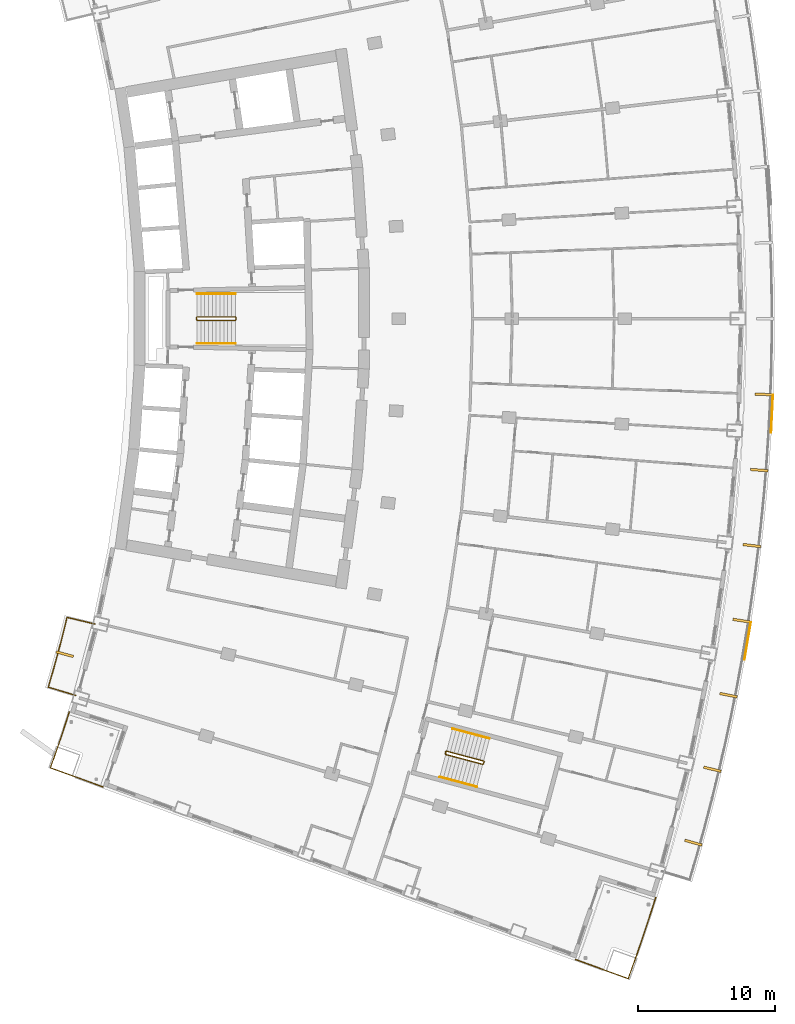
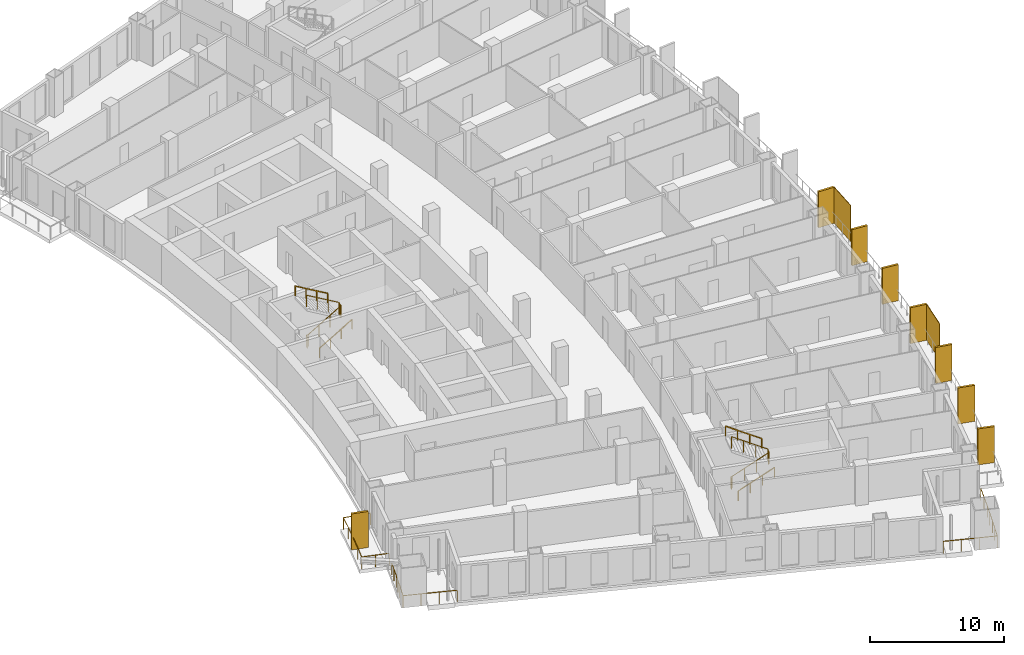
# One storey, part 23 of 25: 10 shading devices, 9 railings.
"""IFC4 building model written with IfcOpenShell, lengths in metres."""

from ifc_helpers import new_model, si_unit, direction, frame, origin, origin_with_axes, origin_2d, place, context, subcontext, project, spatial, rectangle, extrude, material, layer, layer_set, type_object, element, save


model = new_model("IFC4")

# Units and contexts
model_context = context("Model", 3, precision=1e-05, world=origin(), true_north=direction((0.0, 1.0)))
body_context = subcontext(model_context, "Body", "Model", "MODEL_VIEW")
ifc_project = project(units=[si_unit("LENGTHUNIT", "METRE"), si_unit("AREAUNIT", "SQUARE_METRE"), si_unit("VOLUMEUNIT", "CUBIC_METRE"), si_unit("PLANEANGLEUNIT", "RADIAN"), si_unit("MASSUNIT", "GRAM", prefix="KILO")], contexts=[model_context])

# Site, building, storey
site_placement = place(None, origin())
site = spatial("IfcSite", under=ifc_project, at=site_placement, CompositionType="ELEMENT")
building_placement = place(site_placement, origin())
building = spatial("IfcBuilding", under=site, at=building_placement, Name="Alderwake Tower", CompositionType="ELEMENT")
storey_placement = place(building_placement, frame((0.0, 0.0, 118.39990234375)))
storey = spatial("IfcBuildingStorey", under=building, at=storey_placement, Name="L29", CompositionType="ELEMENT", Elevation=118.39990234375)

# Railings
ifc_material_1 = material(Name="Stainless steel 316 rail and posts", Category="steel")
railing_type_1 = type_object("IfcRailingType", Name="Balcony guard 1100", PredefinedType="GUARDRAIL", material=ifc_material_1)
railing_1_placement = place(storey_placement, frame((12.16650390625, 33.435791015625, 0.0)))
element("IfcRailing", 1, at=railing_1_placement, inside=storey, type_object=railing_type_1, Name="Guard BR02", PredefinedType="GUARDRAIL", context=body_context, shape_type="SweptSolid", body=[
    extrude(rectangle(XDim=0.048095703125, YDim=0.048095703125, at=origin_2d()), frame((0.0, 0.0, 1.076171875), z_axis=(-0.958091458885, 0.286462486918, 0.0), x_axis=(-0.286462486918, -0.958091458885, 0.0)), (0.0, 0.0, 1.0), 2.099853515625),
    extrude(rectangle(XDim=0.048095703125, YDim=0.048095703125, at=origin_2d()), frame((-2.011962890625, 0.6015625, 1.076171875), z_axis=(0.279963157487, 0.960010744966, 0.0), x_axis=(-0.960010744966, 0.279963157487, 0.0)), (0.0, 0.0, 1.0), 1.272216796875),
    extrude(rectangle(XDim=0.048095703125, YDim=0.048095703125, at=origin_2d()), frame((-1.65576171875, 1.822998046875, 1.076171875), z_axis=(0.266487604617, 0.963838345671, 0.0), x_axis=(-0.963838345671, 0.266487604617, 0.0)), (0.0, 0.0, 1.0), 1.372314453125),
    extrude(rectangle(XDim=0.048095703125, YDim=0.048095703125, at=origin_2d()), frame((-1.2900390625, 3.145751953125, 1.076171875), z_axis=(0.252487086228, 0.967600264204, 0.0), x_axis=(-0.967600264204, 0.252487086228, 0.0)), (0.0, 0.0, 1.0), 1.3720703125),
    extrude(rectangle(XDim=0.048095703125, YDim=0.048095703125, at=origin_2d()), frame((-0.943603515625, 4.473388671875, 1.076171875), z_axis=(0.238877101641, 0.971049808358, 0.0), x_axis=(-0.971049808358, 0.238877101641, 0.0)), (0.0, 0.0, 1.0), 1.2724609375),
    extrude(rectangle(XDim=0.048095703125, YDim=0.048095703125, at=origin_2d()), frame((-0.6396484375, 5.708984375, 1.076171875), z_axis=(0.972646310656, -0.232291098337, 0.0), x_axis=(0.232291098337, 0.972646310656, 0.0)), (0.0, 0.0, 1.0), 2.099853515625),
    extrude(rectangle(XDim=0.0419921875, YDim=0.0419921875, at=origin_2d()), frame((0.0, 0.0, 0.0), z_axis=(0.0, 0.0, 1.0), x_axis=(-0.958091458885, 0.286462486918, 0.0)), (0.0, 0.0, 1.0), 1.052001953125),
    extrude(rectangle(XDim=0.0419921875, YDim=0.0419921875, at=origin_2d()), frame((-1.005859375, 0.30078125, 0.0), z_axis=(0.0, 0.0, 1.0), x_axis=(-0.958091458885, 0.286462486918, 0.0)), (0.0, 0.0, 1.0), 1.052001953125),
    extrude(rectangle(XDim=0.0419921875, YDim=0.0419921875, at=origin_2d()), frame((-2.011962890625, 0.6015625, 0.0), z_axis=(0.0, 0.0, 1.0), x_axis=(0.279963157487, 0.960010744966, 0.0)), (0.0, 0.0, 1.0), 1.052001953125),
    extrude(rectangle(XDim=0.0419921875, YDim=0.0419921875, at=origin_2d()), frame((-1.65576171875, 1.822998046875, 0.0), z_axis=(0.0, 0.0, 1.0), x_axis=(0.266487604617, 0.963838345671, 0.0)), (0.0, 0.0, 1.0), 1.052001953125),
    extrude(rectangle(XDim=0.0419921875, YDim=0.0419921875, at=origin_2d()), frame((-1.2900390625, 3.145751953125, 0.0), z_axis=(0.0, 0.0, 1.0), x_axis=(0.252487086228, 0.967600264204, 0.0)), (0.0, 0.0, 1.0), 1.052001953125),
    extrude(rectangle(XDim=0.0419921875, YDim=0.0419921875, at=origin_2d()), frame((-0.943603515625, 4.473388671875, 0.0), z_axis=(0.0, 0.0, 1.0), x_axis=(0.238877101641, 0.971049808358, 0.0)), (0.0, 0.0, 1.0), 1.052001953125),
    extrude(rectangle(XDim=0.0419921875, YDim=0.0419921875, at=origin_2d()), frame((-0.6396484375, 5.708984375, 0.0), z_axis=(0.0, 0.0, 1.0), x_axis=(0.972646310656, -0.232291098337, 0.0)), (0.0, 0.0, 1.0), 1.052001953125),
    extrude(rectangle(XDim=0.0419921875, YDim=0.0419921875, at=origin_2d()), frame((0.381591796875, 5.465087890625, 0.0), z_axis=(0.0, 0.0, 1.0), x_axis=(0.972646310656, -0.232291098337, 0.0)), (0.0, 0.0, 1.0), 1.052001953125),
    extrude(rectangle(XDim=0.0419921875, YDim=0.0419921875, at=origin_2d()), frame((1.40283203125, 5.22119140625, 0.0), z_axis=(0.0, 0.0, 1.0), x_axis=(0.972646310656, -0.232291098337, 0.0)), (0.0, 0.0, 1.0), 1.052001953125),
])
railing_2_placement = place(storey_placement, frame((54.594970703125, 18.651123046875, 0.0)))
element("IfcRailing", 2, at=railing_2_placement, inside=storey, type_object=railing_type_1, Name="Guard terrace FS", PredefinedType="GUARDRAIL", context=body_context, shape_type="SweptSolid", body=[
    extrude(rectangle(XDim=0.048095703125, YDim=0.048095703125, at=origin_2d()), frame((0.0, 0.0, 1.076171875), z_axis=(-0.307779974329, -0.951457559433, 0.0), x_axis=(0.951457559433, -0.307779974329, 0.0)), (0.0, 0.0, 1.0), 2.257568359375),
    extrude(rectangle(XDim=0.048095703125, YDim=0.048095703125, at=origin_2d()), frame((-0.69482421875, -2.14794921875, 1.076171875), z_axis=(-0.322236651578, -0.946659146884, 0.0), x_axis=(0.946659146884, -0.322236651578, 0.0)), (0.0, 0.0, 1.0), 2.057861328125),
    extrude(rectangle(XDim=0.048095703125, YDim=0.048095703125, at=origin_2d()), frame((-1.35791015625, -4.095947265625, 1.076171875), z_axis=(-0.335838646603, -0.941919531302, 0.0), x_axis=(0.941919531302, -0.335838646603, 0.0)), (0.0, 0.0, 1.0), 1.957763671875),
    extrude(rectangle(XDim=0.048095703125, YDim=0.048095703125, at=origin_2d()), frame((-2.015380859375, -5.93994140625, 1.076171875), z_axis=(-0.939617696184, 0.342225926863, 0.0), x_axis=(-0.342225926863, -0.939617696184, 0.0)), (0.0, 0.0, 1.0), 4.099853515625),
    extrude(rectangle(XDim=0.0419921875, YDim=0.0419921875, at=origin_2d()), frame((0.0, 0.0, 0.0), z_axis=(0.0, 0.0, 1.0), x_axis=(-0.307779974329, -0.951457559433, 0.0)), (0.0, 0.0, 1.0), 1.052001953125),
    extrude(rectangle(XDim=0.0419921875, YDim=0.0419921875, at=origin_2d()), frame((-0.347412109375, -1.073974609375, 0.0), z_axis=(0.0, 0.0, 1.0), x_axis=(-0.307779974329, -0.951457559433, 0.0)), (0.0, 0.0, 1.0), 1.052001953125),
    extrude(rectangle(XDim=0.0419921875, YDim=0.0419921875, at=origin_2d()), frame((-0.69482421875, -2.14794921875, 0.0), z_axis=(0.0, 0.0, 1.0), x_axis=(-0.322236651578, -0.946659146884, 0.0)), (0.0, 0.0, 1.0), 1.052001953125),
    extrude(rectangle(XDim=0.0419921875, YDim=0.0419921875, at=origin_2d()), frame((-1.0263671875, -3.1220703125, 0.0), z_axis=(0.0, 0.0, 1.0), x_axis=(-0.322236651578, -0.946659146884, 0.0)), (0.0, 0.0, 1.0), 1.052001953125),
    extrude(rectangle(XDim=0.0419921875, YDim=0.0419921875, at=origin_2d()), frame((-1.35791015625, -4.095947265625, 0.0), z_axis=(0.0, 0.0, 1.0), x_axis=(-0.335838646603, -0.941919531302, 0.0)), (0.0, 0.0, 1.0), 1.052001953125),
    extrude(rectangle(XDim=0.0419921875, YDim=0.0419921875, at=origin_2d()), frame((-1.6865234375, -5.01806640625, 0.0), z_axis=(0.0, 0.0, 1.0), x_axis=(-0.335838646603, -0.941919531302, 0.0)), (0.0, 0.0, 1.0), 1.052001953125),
    extrude(rectangle(XDim=0.0419921875, YDim=0.0419921875, at=origin_2d()), frame((-2.015380859375, -5.93994140625, 0.0), z_axis=(0.0, 0.0, 1.0), x_axis=(-0.939617696184, 0.342225926863, 0.0)), (0.0, 0.0, 1.0), 1.052001953125),
    extrude(rectangle(XDim=0.0419921875, YDim=0.0419921875, at=origin_2d()), frame((-3.299560546875, -5.47216796875, 0.0), z_axis=(0.0, 0.0, 1.0), x_axis=(-0.939617696184, 0.342225926863, 0.0)), (0.0, 0.0, 1.0), 1.052001953125),
    extrude(rectangle(XDim=0.0419921875, YDim=0.0419921875, at=origin_2d()), frame((-4.58349609375, -5.004638671875, 0.0), z_axis=(0.0, 0.0, 1.0), x_axis=(-0.939617696184, 0.342225926863, 0.0)), (0.0, 0.0, 1.0), 1.052001953125),
    extrude(rectangle(XDim=0.0419921875, YDim=0.0419921875, at=origin_2d()), frame((-5.86767578125, -4.536865234375, 0.0), z_axis=(0.0, 0.0, 1.0), x_axis=(-0.939617696184, 0.342225926863, 0.0)), (0.0, 0.0, 1.0), 1.052001953125),
])
railing_3_placement = place(storey_placement, frame((11.688720703125, 32.218017578125, 0.0)))
element("IfcRailing", 3, at=railing_3_placement, inside=storey, type_object=railing_type_1, Name="Guard terrace RS", PredefinedType="GUARDRAIL", context=body_context, shape_type="SweptSolid", body=[
    extrude(rectangle(XDim=0.048095703125, YDim=0.048095703125, at=origin_2d()), frame((0.0, 0.0, 1.076171875), z_axis=(-0.307479326145, -0.951554761426, 0.0), x_axis=(0.951554761426, -0.307479326145, 0.0)), (0.0, 0.0, 1.0), 1.6015625),
    extrude(rectangle(XDim=0.048095703125, YDim=0.048095703125, at=origin_2d()), frame((-0.492431640625, -1.52392578125, 1.076171875), z_axis=(-0.322283727344, -0.946643121292, 0.0), x_axis=(0.946643121292, -0.322283727344, 0.0)), (0.0, 0.0, 1.0), 1.4013671875),
    extrude(rectangle(XDim=0.048095703125, YDim=0.048095703125, at=origin_2d()), frame((-0.944091796875, -2.8505859375, 1.076171875), z_axis=(-0.335468607403, -0.942051385778, 0.0), x_axis=(0.942051385778, -0.335468607403, 0.0)), (0.0, 0.0, 1.0), 1.30126953125),
    extrude(rectangle(XDim=0.048095703125, YDim=0.048095703125, at=origin_2d()), frame((-1.380615234375, -4.076416015625, 1.076171875), z_axis=(0.939708203232, -0.341977327873, 0.0), x_axis=(0.341977327873, 0.939708203232, 0.0)), (0.0, 0.0, 1.0), 4.10009765625),
    extrude(rectangle(XDim=0.0419921875, YDim=0.0419921875, at=origin_2d()), frame((0.0, 0.0, 0.0), z_axis=(0.0, 0.0, 1.0), x_axis=(-0.307479326145, -0.951554761426, 0.0)), (0.0, 0.0, 1.0), 1.052001953125),
    extrude(rectangle(XDim=0.0419921875, YDim=0.0419921875, at=origin_2d()), frame((-0.24609375, -0.761962890625, 0.0), z_axis=(0.0, 0.0, 1.0), x_axis=(-0.307479326145, -0.951554761426, 0.0)), (0.0, 0.0, 1.0), 1.052001953125),
    extrude(rectangle(XDim=0.0419921875, YDim=0.0419921875, at=origin_2d()), frame((-0.492431640625, -1.52392578125, 0.0), z_axis=(0.0, 0.0, 1.0), x_axis=(-0.322283727344, -0.946643121292, 0.0)), (0.0, 0.0, 1.0), 1.052001953125),
    extrude(rectangle(XDim=0.0419921875, YDim=0.0419921875, at=origin_2d()), frame((-0.71826171875, -2.187255859375, 0.0), z_axis=(0.0, 0.0, 1.0), x_axis=(-0.322283727344, -0.946643121292, 0.0)), (0.0, 0.0, 1.0), 1.052001953125),
    extrude(rectangle(XDim=0.0419921875, YDim=0.0419921875, at=origin_2d()), frame((-0.944091796875, -2.8505859375, 0.0), z_axis=(0.0, 0.0, 1.0), x_axis=(-0.335468607403, -0.942051385778, 0.0)), (0.0, 0.0, 1.0), 1.052001953125),
    extrude(rectangle(XDim=0.0419921875, YDim=0.0419921875, at=origin_2d()), frame((-1.380615234375, -4.076416015625, 0.0), z_axis=(0.0, 0.0, 1.0), x_axis=(0.939708203232, -0.341977327873, 0.0)), (0.0, 0.0, 1.0), 1.052001953125),
    extrude(rectangle(XDim=0.0419921875, YDim=0.0419921875, at=origin_2d()), frame((-0.096435546875, -4.543701171875, 0.0), z_axis=(0.0, 0.0, 1.0), x_axis=(0.939708203232, -0.341977327873, 0.0)), (0.0, 0.0, 1.0), 1.052001953125),
    extrude(rectangle(XDim=0.0419921875, YDim=0.0419921875, at=origin_2d()), frame((1.18798828125, -5.01123046875, 0.0), z_axis=(0.0, 0.0, 1.0), x_axis=(0.939708203232, -0.341977327873, 0.0)), (0.0, 0.0, 1.0), 1.052001953125),
    extrude(rectangle(XDim=0.0419921875, YDim=0.0419921875, at=origin_2d()), frame((2.47216796875, -5.478515625, 0.0), z_axis=(0.0, 0.0, 1.0), x_axis=(0.939708203232, -0.341977327873, 0.0)), (0.0, 0.0, 1.0), 1.052001953125),
])

# Shading devices
ifc_material_2 = material(Name="Bronze anodised aluminium", Category="aluminium")
ifc_layer_1 = layer(ifc_material_2, 0.179931640625)
ifc_layer_set_1 = layer_set([ifc_layer_1], Name="Facade fin 1300")
shading_device_type_1 = type_object("IfcShadingDeviceType", Name="Facade fin 1300", PredefinedType="USERDEFINED", material=ifc_layer_set_1)
for number, where, z_axis, x_axis, name in (
    (4, (57.349609375, 22.661865234375, 0.0), (0.0, 0.0, 1.0), (0.96318180783, -0.268850897459, 0.0), "Fin"),
    (5, (58.73681640625, 28.032470703125, 0.0), (0.0, 0.0, 1.0), (0.972908790564, -0.231189284448, 0.0), "Fin"),
    (6, (59.9140625, 33.452880859375, 0.0), (0.0, 0.0, 1.0), (0.981163751315, -0.193177879441, 0.0), "Fin"),
    (7, (60.877197265625, 38.90087890625, 0.0), (0.0, 0.0, 1.0), (0.987918787879, -0.154972476771, 0.0), "Fin"),
    (8, (61.630126953125, 44.396240234375, 0.0), (0.0, 0.0, 1.0), (0.993198315083, -0.116434990084, 0.0), "Fin"),
    (9, (62.168701171875, 49.9169921875, 0.0), (0.0, 0.0, 1.0), (0.996975122026, -0.077721335943, 0.0), "Fin"),
    (10, (62.4921875, 55.454345703125, 0.0), (0.0, 0.0, 1.0), (0.999243494356, -0.038890088543, 0.0), "Fin"),
    (11, (11.359375, 36.45166015625, 0.0), (0.0, 0.0, 1.0), (0.965744448231, -0.259495010957, 0.0), "Fin"),
):
    element("IfcShadingDevice", number, at=place(storey_placement, frame(where, z_axis=z_axis, x_axis=x_axis)), inside=storey, type_object=shading_device_type_1, Name=name, ObjectType="FIN", PredefinedType="USERDEFINED", context=body_context, shape_type="SweptSolid", body=[
        extrude(rectangle(XDim=1.300048828125, YDim=0.179931640625, at=origin_2d()), origin(), (0.0, 0.0, 1.0), 3.280029296875),
    ])
ifc_material_3 = material(Name="Perforated bronze anodised aluminium", Category="aluminium")
ifc_layer_2 = layer(ifc_material_3, 0.050048828125)
ifc_layer_set_2 = layer_set([ifc_layer_2], Name="Perforated screen panel")
shading_device_type_2 = type_object("IfcShadingDeviceType", Name="Perforated screen panel", PredefinedType="USERDEFINED", material=ifc_layer_set_2)
for number, where, z_axis, x_axis, name in (
    (12, (61.3154296875, 37.425537109375, 0.0), (0.0, 0.0, 1.0), (0.986369013299, -0.164548380739, 0.0), "Screen panel"),
    (13, (63.09912109375, 54.039794921875, 0.0), (0.0, 0.0, 1.0), (0.998819231138, -0.048581308217, 0.0), "Screen panel"),
):
    element("IfcShadingDevice", number, at=place(storey_placement, frame(where, z_axis=z_axis, x_axis=x_axis)), inside=storey, type_object=shading_device_type_2, Name=name, ObjectType="SCREEN", PredefinedType="USERDEFINED", context=body_context, shape_type="SweptSolid", body=[
        extrude(rectangle(XDim=0.050048828125, YDim=2.779541015625, at=origin_2d()), origin(), (0.0, 0.0, 1.0), 3.280029296875),
    ])

# Railings
ifc_material_4 = material(Name="Stainless steel guard", Category="steel")
railing_type_2 = type_object("IfcRailingType", Name="Stair guard 1100", PredefinedType="GUARDRAIL", material=ifc_material_4)
railing_4_placement = place(storey_placement, frame((20.989990234375, 60.925048828125, 0.0)))
element("IfcRailing", 14, at=railing_4_placement, inside=storey, type_object=railing_type_2, Name="L29 ST-B stair guard 1", PredefinedType="GUARDRAIL", context=body_context, shape_type="SweptSolid", body=[
    extrude(rectangle(XDim=0.048095703125, YDim=0.048095703125, at=origin_2d()), frame((0.0, 0.0, 1.076171875), z_axis=(0.0, 1.0, 0.0), x_axis=(-1.0, 0.0, 0.0)), (0.0, 0.0, 1.0), 0.14990234375),
    extrude(rectangle(XDim=0.048095703125, YDim=0.048095703125, at=origin_2d()), frame((0.0, 0.14990234375, 1.076171875), z_axis=(0.190089865108, -0.759432192796, 0.622196582865), x_axis=(0.970072785993, 0.242814311512, 0.0)), (0.0, 0.0, 1.0), 0.26318359375),
    extrude(rectangle(XDim=0.048095703125, YDim=0.048095703125, at=origin_2d()), frame((0.050048828125, -0.050048828125, 1.23974609375), z_axis=(0.863393664356, 0.0, 0.504530851732), x_axis=(0.0, 1.0, 0.0)), (0.0, 0.0, 1.0), 3.2431640625),
    extrude(rectangle(XDim=0.048095703125, YDim=0.048095703125, at=origin_2d()), frame((2.85009765625, -0.050048828125, 2.8759765625), z_axis=(0.705375805398, 0.708833529934, 0.0), x_axis=(-0.708833529934, 0.705375805398, 0.0)), (0.0, 0.0, 1.0), 0.070556640625),
    extrude(rectangle(XDim=0.048095703125, YDim=0.048095703125, at=origin_2d()), frame((2.89990234375, 0.0, 2.8759765625), z_axis=(0.0, 1.0, 0.0), x_axis=(-1.0, 0.0, 0.0)), (0.0, 0.0, 1.0), 0.14990234375),
    extrude(rectangle(XDim=0.048095703125, YDim=0.048095703125, at=origin_2d()), frame((2.89990234375, 0.14990234375, 2.8759765625), z_axis=(-0.279546231943, 0.280916556609, 0.91811752648), x_axis=(-0.708833529934, -0.705375805398, 0.0)), (0.0, 0.0, 1.0), 0.17822265625),
    extrude(rectangle(XDim=0.048095703125, YDim=0.048095703125, at=origin_2d()), frame((2.85009765625, 0.199951171875, 3.03955078125), z_axis=(-0.863360870873, 0.0, 0.504586966384), x_axis=(0.0, -1.0, 0.0)), (0.0, 0.0, 1.0), 3.2431640625),
    extrude(rectangle(XDim=0.0419921875, YDim=0.0419921875, at=origin_2d()), frame((0.0, 0.0, 0.0), z_axis=(0.0, 0.0, 1.0), x_axis=(0.0, 1.0, 0.0)), (0.0, 0.0, 1.0), 1.052001953125),
    extrude(rectangle(XDim=0.0419921875, YDim=0.0419921875, at=origin_2d()), frame((0.0, 0.14990234375, 0.0), z_axis=(0.0, 0.0, 1.0), x_axis=(0.242814311512, -0.970072785993, 0.0)), (0.0, 0.0, 1.0), 1.052001953125),
    extrude(rectangle(XDim=0.0419921875, YDim=0.0419921875, at=origin_2d()), frame((0.050048828125, -0.050048828125, 0.163818359375), z_axis=(0.0, 0.0, 1.0), x_axis=(1.0, 0.0, 0.0)), (0.0, 0.0, 1.0), 1.052001953125),
    extrude(rectangle(XDim=0.0419921875, YDim=0.0419921875, at=origin_2d()), frame((0.9833984375, -0.050048828125, 0.709228515625), z_axis=(0.0, 0.0, 1.0), x_axis=(1.0, 0.0, 0.0)), (0.0, 0.0, 1.0), 1.052001953125),
    extrude(rectangle(XDim=0.0419921875, YDim=0.0419921875, at=origin_2d()), frame((1.916748046875, -0.050048828125, 1.254638671875), z_axis=(0.0, 0.0, 1.0), x_axis=(1.0, 0.0, 0.0)), (0.0, 0.0, 1.0), 1.052001953125),
    extrude(rectangle(XDim=0.0419921875, YDim=0.0419921875, at=origin_2d()), frame((2.85009765625, -0.050048828125, 1.800048828125), z_axis=(0.0, 0.0, 1.0), x_axis=(0.705375805398, 0.708833529934, 0.0)), (0.0, 0.0, 1.0), 1.052001953125),
    extrude(rectangle(XDim=0.0419921875, YDim=0.0419921875, at=origin_2d()), frame((2.89990234375, 0.0, 1.800048828125), z_axis=(0.0, 0.0, 1.0), x_axis=(0.0, 1.0, 0.0)), (0.0, 0.0, 1.0), 1.052001953125),
    extrude(rectangle(XDim=0.0419921875, YDim=0.0419921875, at=origin_2d()), frame((2.89990234375, 0.14990234375, 1.800048828125), z_axis=(0.0, 0.0, 1.0), x_axis=(-0.705375805398, 0.708833529934, 0.0)), (0.0, 0.0, 1.0), 1.052001953125),
    extrude(rectangle(XDim=0.0419921875, YDim=0.0419921875, at=origin_2d()), frame((2.85009765625, 0.199951171875, 1.963623046875), z_axis=(0.0, 0.0, 1.0), x_axis=(-1.0, 0.0, 0.0)), (0.0, 0.0, 1.0), 1.052001953125),
    extrude(rectangle(XDim=0.0419921875, YDim=0.0419921875, at=origin_2d()), frame((1.916748046875, 0.199951171875, 2.509033203125), z_axis=(0.0, 0.0, 1.0), x_axis=(-1.0, 0.0, 0.0)), (0.0, 0.0, 1.0), 1.052001953125),
    extrude(rectangle(XDim=0.0419921875, YDim=0.0419921875, at=origin_2d()), frame((0.9833984375, 0.199951171875, 3.0546875), z_axis=(0.0, 0.0, 1.0), x_axis=(-1.0, 0.0, 0.0)), (0.0, 0.0, 1.0), 1.052001953125),
    extrude(rectangle(XDim=0.0419921875, YDim=0.0419921875, at=origin_2d()), frame((0.050048828125, 0.199951171875, 3.60009765625), z_axis=(0.0, 0.0, 1.0), x_axis=(-1.0, 0.0, 0.0)), (0.0, 0.0, 1.0), 1.052001953125),
])
railing_5_placement = place(storey_placement, frame((39.1943359375, 29.17431640625, 0.0)))
element("IfcRailing", 15, at=railing_5_placement, inside=storey, type_object=railing_type_2, Name="L29 ST-C stair guard 1", PredefinedType="GUARDRAIL", context=body_context, shape_type="SweptSolid", body=[
    extrude(rectangle(XDim=0.048095703125, YDim=0.048095703125, at=origin_2d()), frame((0.0, 0.0, 1.076171875), z_axis=(0.257459803502, 0.966289009345, 0.0), x_axis=(-0.966289009345, 0.257459803502, 0.0)), (0.0, 0.0, 1.0), 0.14990234375),
    extrude(rectangle(XDim=0.048095703125, YDim=0.048095703125, at=origin_2d()), frame((0.03857421875, 0.144775390625, 1.076171875), z_axis=(-0.012055935761, -0.782708444821, 0.622271761226), x_axis=(0.999881397308, -0.015401016783, 0.0)), (0.0, 0.0, 1.0), 0.26318359375),
    extrude(rectangle(XDim=0.048095703125, YDim=0.048095703125, at=origin_2d()), frame((0.035400390625, -0.061279296875, 1.23974609375), z_axis=(0.834313512087, -0.222222637163, 0.504517653885), x_axis=(0.257380452725, 0.966310148221, 0.0)), (0.0, 0.0, 1.0), 3.2431640625),
    extrude(rectangle(XDim=0.048095703125, YDim=0.048095703125, at=origin_2d()), frame((2.7412109375, -0.781982421875, 2.8759765625), z_axis=(0.865031189262, 0.501718089772, 0.0), x_axis=(-0.501718089772, 0.865031189262, 0.0)), (0.0, 0.0, 1.0), 0.070556640625),
    extrude(rectangle(XDim=0.048095703125, YDim=0.048095703125, at=origin_2d()), frame((2.80224609375, -0.74658203125, 2.8759765625), z_axis=(0.257055032184, 0.966396766566, 0.0), x_axis=(-0.966396766566, 0.257055032184, 0.0)), (0.0, 0.0, 1.0), 0.150146484375),
    extrude(rectangle(XDim=0.048095703125, YDim=0.048095703125, at=origin_2d()), frame((2.8408203125, -0.6015625, 2.8759765625), z_axis=(-0.198625291617, 0.343827228937, 0.91778583023), x_axis=(-0.865898279276, -0.500220121494, 0.0)), (0.0, 0.0, 1.0), 0.17822265625),
    extrude(rectangle(XDim=0.048095703125, YDim=0.048095703125, at=origin_2d()), frame((2.805419921875, -0.540283203125, 3.03955078125), z_axis=(-0.834258940753, 0.22222815314, 0.504605457487), x_axis=(-0.257402139082, -0.966304371715, 0.0)), (0.0, 0.0, 1.0), 3.2431640625),
    extrude(rectangle(XDim=0.0419921875, YDim=0.0419921875, at=origin_2d()), frame((0.0, 0.0, 0.0), z_axis=(0.0, 0.0, 1.0), x_axis=(0.257459803502, 0.966289009345, 0.0)), (0.0, 0.0, 1.0), 1.052001953125),
    extrude(rectangle(XDim=0.0419921875, YDim=0.0419921875, at=origin_2d()), frame((0.03857421875, 0.144775390625, 0.0), z_axis=(0.0, 0.0, 1.0), x_axis=(-0.015401016783, -0.999881397308, 0.0)), (0.0, 0.0, 1.0), 1.052001953125),
    extrude(rectangle(XDim=0.0419921875, YDim=0.0419921875, at=origin_2d()), frame((0.035400390625, -0.061279296875, 0.163818359375), z_axis=(0.0, 0.0, 1.0), x_axis=(0.966310148221, -0.257380452725, 0.0)), (0.0, 0.0, 1.0), 1.052001953125),
    extrude(rectangle(XDim=0.0419921875, YDim=0.0419921875, at=origin_2d()), frame((0.937255859375, -0.301513671875, 0.709228515625), z_axis=(0.0, 0.0, 1.0), x_axis=(0.966310148221, -0.257380452725, 0.0)), (0.0, 0.0, 1.0), 1.052001953125),
    extrude(rectangle(XDim=0.0419921875, YDim=0.0419921875, at=origin_2d()), frame((1.83935546875, -0.541748046875, 1.254638671875), z_axis=(0.0, 0.0, 1.0), x_axis=(0.966310148221, -0.257380452725, 0.0)), (0.0, 0.0, 1.0), 1.052001953125),
    extrude(rectangle(XDim=0.0419921875, YDim=0.0419921875, at=origin_2d()), frame((2.7412109375, -0.781982421875, 1.800048828125), z_axis=(0.0, 0.0, 1.0), x_axis=(0.865031189262, 0.501718089772, 0.0)), (0.0, 0.0, 1.0), 1.052001953125),
    extrude(rectangle(XDim=0.0419921875, YDim=0.0419921875, at=origin_2d()), frame((2.80224609375, -0.74658203125, 1.800048828125), z_axis=(0.0, 0.0, 1.0), x_axis=(0.257055032184, 0.966396766566, 0.0)), (0.0, 0.0, 1.0), 1.052001953125),
    extrude(rectangle(XDim=0.0419921875, YDim=0.0419921875, at=origin_2d()), frame((2.8408203125, -0.6015625, 1.800048828125), z_axis=(0.0, 0.0, 1.0), x_axis=(-0.500220121494, 0.865898279276, 0.0)), (0.0, 0.0, 1.0), 1.052001953125),
    extrude(rectangle(XDim=0.0419921875, YDim=0.0419921875, at=origin_2d()), frame((2.805419921875, -0.540283203125, 1.963623046875), z_axis=(0.0, 0.0, 1.0), x_axis=(-0.966304371715, 0.257402139082, 0.0)), (0.0, 0.0, 1.0), 1.052001953125),
    extrude(rectangle(XDim=0.0419921875, YDim=0.0419921875, at=origin_2d()), frame((1.903564453125, -0.300048828125, 2.509033203125), z_axis=(0.0, 0.0, 1.0), x_axis=(-0.966304371715, 0.257402139082, 0.0)), (0.0, 0.0, 1.0), 1.052001953125),
    extrude(rectangle(XDim=0.0419921875, YDim=0.0419921875, at=origin_2d()), frame((1.001708984375, -0.059814453125, 3.0546875), z_axis=(0.0, 0.0, 1.0), x_axis=(-0.966304371715, 0.257402139082, 0.0)), (0.0, 0.0, 1.0), 1.052001953125),
    extrude(rectangle(XDim=0.0419921875, YDim=0.0419921875, at=origin_2d()), frame((0.099853515625, 0.180419921875, 3.60009765625), z_axis=(0.0, 0.0, 1.0), x_axis=(-0.966304371715, 0.257402139082, 0.0)), (0.0, 0.0, 1.0), 1.052001953125),
])
ifc_material_5 = material(Name="Stainless steel handrail", Category="steel")
railing_type_3 = type_object("IfcRailingType", Name="Stair handrail 900", PredefinedType="HANDRAIL", material=ifc_material_5)
railing_6_placement = place(storey_placement, frame((21.0400390625, 59.175048828125, 0.163818359375)))
element("IfcRailing", 16, at=railing_6_placement, inside=storey, type_object=railing_type_3, Name="L29 ST-B stair handrail 1", PredefinedType="HANDRAIL", context=body_context, shape_type="SweptSolid", body=[
    extrude(rectangle(XDim=0.048095703125, YDim=0.048095703125, at=origin_2d()), frame((0.0, 0.0, 0.8759765625), z_axis=(0.863393664356, 0.0, 0.504530851732), x_axis=(0.0, 1.0, 0.0)), (0.0, 0.0, 1.0), 3.2431640625),
    extrude(rectangle(XDim=0.0419921875, YDim=0.0419921875, at=origin_2d()), origin_with_axes(), (0.0, 0.0, 1.0), 0.851806640625),
    extrude(rectangle(XDim=0.0419921875, YDim=0.0419921875, at=origin_2d()), frame((0.933349609375, 0.0, 0.54541015625), z_axis=(0.0, 0.0, 1.0), x_axis=(1.0, 0.0, 0.0)), (0.0, 0.0, 1.0), 0.851806640625),
    extrude(rectangle(XDim=0.0419921875, YDim=0.0419921875, at=origin_2d()), frame((1.86669921875, 0.0, 1.0908203125), z_axis=(0.0, 0.0, 1.0), x_axis=(1.0, 0.0, 0.0)), (0.0, 0.0, 1.0), 0.851806640625),
    extrude(rectangle(XDim=0.0419921875, YDim=0.0419921875, at=origin_2d()), frame((2.800048828125, 0.0, 1.63623046875), z_axis=(0.0, 0.0, 1.0), x_axis=(1.0, 0.0, 0.0)), (0.0, 0.0, 1.0), 0.851806640625),
])
railing_7_placement = place(storey_placement, frame((23.840087890625, 62.824951171875, 1.963623046875)))
element("IfcRailing", 17, at=railing_7_placement, inside=storey, type_object=railing_type_3, Name="L29 ST-B stair handrail 2", PredefinedType="HANDRAIL", context=body_context, shape_type="SweptSolid", body=[
    extrude(rectangle(XDim=0.048095703125, YDim=0.048095703125, at=origin_2d()), frame((0.0, 0.0, 0.8759765625), z_axis=(-0.863360870873, 0.0, 0.504586966384), x_axis=(0.0, -1.0, 0.0)), (0.0, 0.0, 1.0), 3.2431640625),
    extrude(rectangle(XDim=0.0419921875, YDim=0.0419921875, at=origin_2d()), frame((0.0, 0.0, 0.0), z_axis=(0.0, 0.0, 1.0), x_axis=(-1.0, 0.0, 0.0)), (0.0, 0.0, 1.0), 0.851806640625),
    extrude(rectangle(XDim=0.0419921875, YDim=0.0419921875, at=origin_2d()), frame((-0.933349609375, 0.0, 0.54541015625), z_axis=(0.0, 0.0, 1.0), x_axis=(-1.0, 0.0, 0.0)), (0.0, 0.0, 1.0), 0.851806640625),
    extrude(rectangle(XDim=0.0419921875, YDim=0.0419921875, at=origin_2d()), frame((-1.86669921875, 0.0, 1.091064453125), z_axis=(0.0, 0.0, 1.0), x_axis=(-1.0, 0.0, 0.0)), (0.0, 0.0, 1.0), 0.851806640625),
    extrude(rectangle(XDim=0.0419921875, YDim=0.0419921875, at=origin_2d()), frame((-2.800048828125, 0.0, 1.636474609375), z_axis=(0.0, 0.0, 1.0), x_axis=(-1.0, 0.0, 0.0)), (0.0, 0.0, 1.0), 0.851806640625),
])
railing_8_placement = place(storey_placement, frame((38.792236328125, 27.47021484375, 0.163818359375)))
element("IfcRailing", 18, at=railing_8_placement, inside=storey, type_object=railing_type_3, Name="L29 ST-C stair handrail 1", PredefinedType="HANDRAIL", context=body_context, shape_type="SweptSolid", body=[
    extrude(rectangle(XDim=0.048095703125, YDim=0.048095703125, at=origin_2d()), frame((0.0, 0.0, 0.8759765625), z_axis=(0.834304587439, -0.222165027751, 0.504557782442), x_axis=(0.25732071773, 0.966326056891, 0.0)), (0.0, 0.0, 1.0), 3.242919921875),
    extrude(rectangle(XDim=0.0419921875, YDim=0.0419921875, at=origin_2d()), frame((0.0, 0.0, 0.0), z_axis=(0.0, 0.0, 1.0), x_axis=(0.966326056891, -0.25732071773, 0.0)), (0.0, 0.0, 1.0), 0.851806640625),
    extrude(rectangle(XDim=0.0419921875, YDim=0.0419921875, at=origin_2d()), frame((0.90185546875, -0.240234375, 0.54541015625), z_axis=(0.0, 0.0, 1.0), x_axis=(0.966326056891, -0.25732071773, 0.0)), (0.0, 0.0, 1.0), 0.851806640625),
    extrude(rectangle(XDim=0.0419921875, YDim=0.0419921875, at=origin_2d()), frame((1.8037109375, -0.480224609375, 1.0908203125), z_axis=(0.0, 0.0, 1.0), x_axis=(0.966326056891, -0.25732071773, 0.0)), (0.0, 0.0, 1.0), 0.851806640625),
    extrude(rectangle(XDim=0.0419921875, YDim=0.0419921875, at=origin_2d()), frame((2.70556640625, -0.720458984375, 1.63623046875), z_axis=(0.0, 0.0, 1.0), x_axis=(0.966326056891, -0.25732071773, 0.0)), (0.0, 0.0, 1.0), 0.851806640625),
])
railing_9_placement = place(storey_placement, frame((42.437255859375, 30.276611328125, 1.963623046875)))
element("IfcRailing", 19, at=railing_9_placement, inside=storey, type_object=railing_type_3, Name="L29 ST-C stair handrail 2", PredefinedType="HANDRAIL", context=body_context, shape_type="SweptSolid", body=[
    extrude(rectangle(XDim=0.048095703125, YDim=0.048095703125, at=origin_2d()), frame((0.0, 0.0, 0.8759765625), z_axis=(-0.834258940753, 0.22222815314, 0.504605457487), x_axis=(-0.257402139082, -0.966304371715, 0.0)), (0.0, 0.0, 1.0), 3.2431640625),
    extrude(rectangle(XDim=0.0419921875, YDim=0.0419921875, at=origin_2d()), frame((0.0, 0.0, 0.0), z_axis=(0.0, 0.0, 1.0), x_axis=(-0.966304371715, 0.257402139082, 0.0)), (0.0, 0.0, 1.0), 0.851806640625),
    extrude(rectangle(XDim=0.0419921875, YDim=0.0419921875, at=origin_2d()), frame((-0.90185546875, 0.240234375, 0.54541015625), z_axis=(0.0, 0.0, 1.0), x_axis=(-0.966304371715, 0.257402139082, 0.0)), (0.0, 0.0, 1.0), 0.851806640625),
    extrude(rectangle(XDim=0.0419921875, YDim=0.0419921875, at=origin_2d()), frame((-1.8037109375, 0.48046875, 1.091064453125), z_axis=(0.0, 0.0, 1.0), x_axis=(-0.966304371715, 0.257402139082, 0.0)), (0.0, 0.0, 1.0), 0.851806640625),
    extrude(rectangle(XDim=0.0419921875, YDim=0.0419921875, at=origin_2d()), frame((-2.70556640625, 0.720703125, 1.636474609375), z_axis=(0.0, 0.0, 1.0), x_axis=(-0.966304371715, 0.257402139082, 0.0)), (0.0, 0.0, 1.0), 0.851806640625),
])

save(model, "model.ifc")
